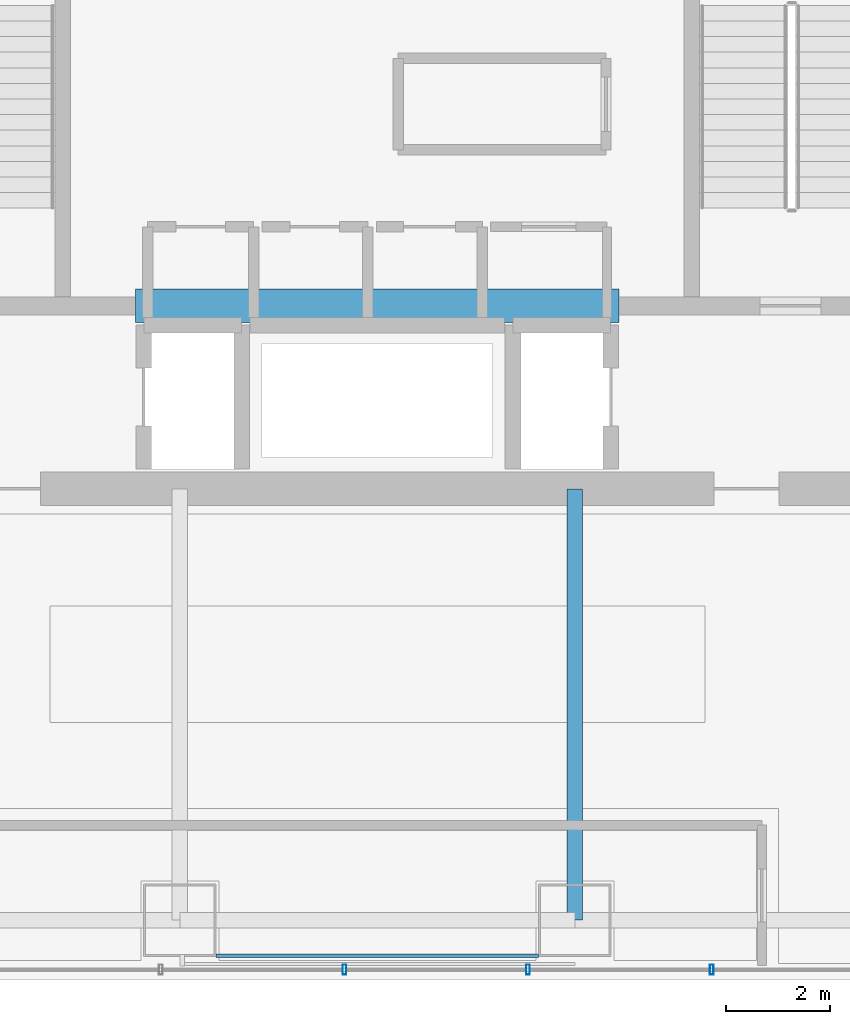
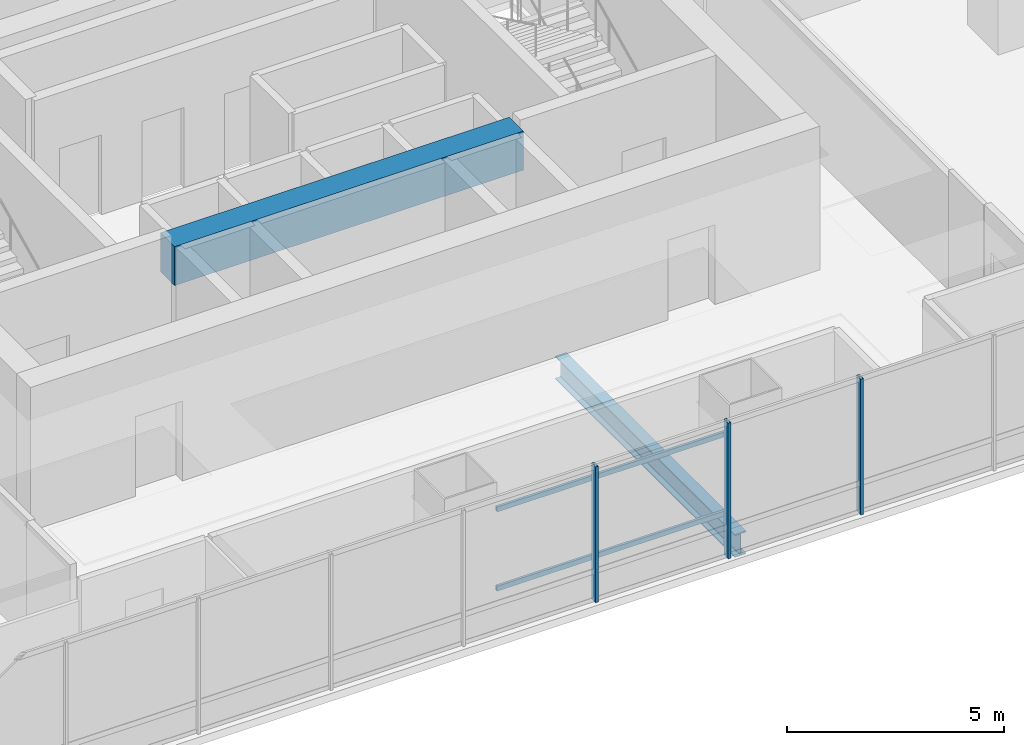
# One storey, part 9 of 38: 5 members, 2 beams, 1 element without a shape of its own.
"""IFC4 building model written with IfcOpenShell, lengths in metres."""

import ifcopenshell
import ifcopenshell.guid

model = None  # the IFC model being written
_history = None  # IfcOwnerHistory: only IFC2X3 demands one
_inside = {}  # id of a spatial element -> (the spatial element, [elements in it])
_under = {}  # id of a project, library or spatial element -> (it, [spatial elements below it])
_declared = {}  # id of a project -> (the project, [libraries it declares])
_typed = {}  # id of a type object -> (the type object, [elements of that type])
_made_of = {}  # id of a material, layer set ... -> (it, [elements and type objects made of it])


def new_model(schema):
    """Start an empty IFC model of exactly this schema.

    Asked for "IFC4X3", IfcOpenShell would pick the latest addendum, in which some entities
    have other attributes; the version numbers below select the first issue.
    IFC2X3 requires an IfcOwnerHistory on every rooted entity: one is made here for all.
    """
    global model, _history
    if schema == "IFC4X3":
        model = ifcopenshell.file(schema_version=(4, 3, 0, 0))
    else:
        model = ifcopenshell.file(schema=schema)
    _inside.clear()
    _under.clear()
    _declared.clear()
    _typed.clear()
    _made_of.clear()
    _history = None
    if model.schema == "IFC2X3":
        org = make("IfcOrganization", Name="unknown")
        user = make(
            "IfcPersonAndOrganization",
            ThePerson=make("IfcPerson", FamilyName="unknown"),
            TheOrganization=org,
        )
        app = make(
            "IfcApplication",
            ApplicationDeveloper=org,
            Version="unknown",
            ApplicationFullName="unknown",
            ApplicationIdentifier="unknown",
        )
        _history = make(
            "IfcOwnerHistory",
            OwningUser=user,
            OwningApplication=app,
            ChangeAction="ADDED",
            CreationDate=0,
        )
    return model


def make(cls, **values):
    """One entity of the class cls with the attributes given. An attribute that is None is left unset."""
    return model.create_entity(
        cls, **{name: value for name, value in values.items() if value is not None}
    )


def rooted(cls, **values):
    """An entity with a GlobalId (a new one), such as an element, a storey or a relation."""
    return make(cls, GlobalId=ifcopenshell.guid.new(), OwnerHistory=_history, **values)


def si_unit(unit_type, name, prefix=None):
    """IfcSIUnit, for example si_unit("LENGTHUNIT", "METRE", prefix="MILLI")."""
    return make("IfcSIUnit", UnitType=unit_type, Prefix=prefix, Name=name)


def assignment(units):
    """IfcUnitAssignment: the units of a project."""
    return None if units is None else make("IfcUnitAssignment", Units=units)


def point(xyz):
    """IfcCartesianPoint."""
    return None if xyz is None else make("IfcCartesianPoint", Coordinates=xyz)


def direction(xyz):
    """IfcDirection."""
    return None if xyz is None else make("IfcDirection", DirectionRatios=xyz)


def frame(location, z_axis=None, x_axis=None):
    """IfcAxis2Placement3D, a coordinate frame: its origin and axes. An axis left out is left unset."""
    return make(
        "IfcAxis2Placement3D",
        Location=point(location),
        Axis=direction(z_axis),
        RefDirection=direction(x_axis),
    )


def frame_2d(location, x_axis=None):
    """IfcAxis2Placement2D, a coordinate frame in the plane: its origin and x axis."""
    return make(
        "IfcAxis2Placement2D", Location=point(location), RefDirection=direction(x_axis)
    )


def origin():
    """The frame at (0, 0, 0) with its axes left unset."""
    return frame((0.0, 0.0, 0.0))


def origin_2d():
    """The frame at (0, 0) in the plane with its x axis left unset."""
    return frame_2d((0.0, 0.0))


def place(relative_to, where):
    """IfcLocalPlacement: puts the frame where relative to a parent placement (None: the world)."""
    return make(
        "IfcLocalPlacement", PlacementRelTo=relative_to, RelativePlacement=where
    )


def context(
    kind, dimensions, precision=None, world=None, true_north=None, identifier=None
):
    """IfcGeometricRepresentationContext, for example the 3D "Model" context."""
    return make(
        "IfcGeometricRepresentationContext",
        ContextIdentifier=identifier,
        ContextType=kind,
        CoordinateSpaceDimension=dimensions,
        Precision=precision,
        WorldCoordinateSystem=world,
        TrueNorth=true_north,
    )


def subcontext(parent, identifier, kind, view, scale=None):
    """IfcGeometricRepresentationSubContext, for example "Body" below "Model"."""
    return make(
        "IfcGeometricRepresentationSubContext",
        ContextIdentifier=identifier,
        ContextType=kind,
        ParentContext=parent,
        TargetScale=scale,
        TargetView=view,
    )


def project(units=None, contexts=None):
    """IfcProject with its units and contexts."""
    return rooted(
        "IfcProject",
        Name="project",
        RepresentationContexts=contexts,
        UnitsInContext=assignment(units),
    )


def spatial(cls, under=None, at=None, **own):
    """A site, building, storey or space (cls), placed at a placement, below another one or the project."""
    s = rooted(cls, ObjectPlacement=at, **own)
    if under is not None:
        _under.setdefault(under.id(), (under, []))[1].append(s)
    return s


def profile(cls, at=None, kind="AREA", **sizes):
    """A parametric profile (cls). Its sizes go by their IFC names, for example OverallWidth=200.0."""
    return make(cls, ProfileType=kind, Position=at, **sizes)


def rectangle(**sizes):
    """IfcRectangleProfileDef."""
    return profile("IfcRectangleProfileDef", **sizes)


def hollow_rectangle(**sizes):
    """IfcRectangleHollowProfileDef."""
    return profile("IfcRectangleHollowProfileDef", **sizes)


def i_section(**sizes):
    """IfcIShapeProfileDef."""
    return profile("IfcIShapeProfileDef", **sizes)


def extrude(swept, where, along, depth):
    """IfcExtrudedAreaSolid: the profile swept, set in the frame where, extruded along a direction by depth."""
    return make(
        "IfcExtrudedAreaSolid",
        SweptArea=swept,
        Position=where,
        ExtrudedDirection=direction(along),
        Depth=depth,
    )


def shape(context_of_items, identifier, shape_type, items):
    """IfcShapeRepresentation: the items that make up one representation, for example the "Body"."""
    return make(
        "IfcShapeRepresentation",
        ContextOfItems=context_of_items,
        RepresentationIdentifier=identifier,
        RepresentationType=shape_type,
        Items=items,
    )


def material(Name=None, Category=None):
    """IfcMaterial."""
    return make("IfcMaterial", Name=Name, Category=Category)


def material_profile(
    of_material, cross_section, Name=None, Category=None, Priority=None
):
    """IfcMaterialProfile: a cross section and its material."""
    return make(
        "IfcMaterialProfile",
        Name=Name,
        Material=of_material,
        Profile=cross_section,
        Priority=Priority,
        Category=Category,
    )


def profile_set(profiles, Name=None, composite=None):
    """IfcMaterialProfileSet."""
    return make(
        "IfcMaterialProfileSet",
        Name=Name,
        MaterialProfiles=profiles,
        CompositeProfile=composite,
    )


def made_of(thing, what):
    """Note that an element or type object is made of a material, layer set ...; save() writes the relation."""
    if what is not None:
        _made_of.setdefault(what.id(), (what, []))[1].append(thing)
    return thing


def type_object(cls, material=None, **own):
    """A type object (cls), such as IfcWallType, which elements share."""
    return made_of(rooted(cls, **own), material)


def element(
    cls,
    number,
    at=None,
    inside=None,
    cuts=None,
    type_object=None,
    material=None,
    context=None,
    identifier="Body",
    shape_type=None,
    held_by="IfcProductDefinitionShape",
    body=None,
    shapes=None,
    **own,
):
    """One element of the class cls, such as IfcWall. Its Tag is "e" and its number.

    at: its placement. inside: the storey or other place that contains it. cuts: it is an
    opening in that element (IfcRelVoidsElement). A single representation is given by context,
    identifier, shape_type and body (its items); several are given by shapes. held_by: the class
    of the entity that holds the representations. save() writes the other relations.
    """
    e = rooted(cls, Tag="e%d" % number, ObjectPlacement=at, **own)
    if body is not None:
        shapes = [shape(context, identifier, shape_type, body)]
    if shapes is not None:
        e.Representation = make(held_by, Representations=shapes)
    if inside is not None:
        _inside.setdefault(inside.id(), (inside, []))[1].append(e)
    if cuts is not None:
        rooted(
            "IfcRelVoidsElement", RelatingBuildingElement=cuts, RelatedOpeningElement=e
        )
    if type_object is not None:
        _typed.setdefault(type_object.id(), (type_object, []))[1].append(e)
    return made_of(e, material)


def aggregate(whole, parts):
    """IfcRelAggregates: a whole, such as a stair, and the parts it consists of."""
    return rooted("IfcRelAggregates", RelatingObject=whole, RelatedObjects=parts)


def save(model, path):
    """Write the relations noted so far, then the file.

    IfcRelAggregates (storeys below a building ...), IfcRelContainedInSpatialStructure (elements
    in a storey), IfcRelDefinesByType, IfcRelAssociatesMaterial and IfcRelDeclares: one each for
    every whole, place, type object, material and project.
    """
    for whole, parts in _under.values():
        aggregate(whole, parts)
    for where, things in _inside.values():
        rooted(
            "IfcRelContainedInSpatialStructure",
            RelatedElements=things,
            RelatingStructure=where,
        )
    for kind, things in _typed.values():
        rooted("IfcRelDefinesByType", RelatedObjects=things, RelatingType=kind)
    for what, things in _made_of.values():
        rooted("IfcRelAssociatesMaterial", RelatedObjects=things, RelatingMaterial=what)
    for by, libraries in _declared.values():
        rooted("IfcRelDeclares", RelatingContext=by, RelatedDefinitions=libraries)
    model.write(path)


model = new_model("IFC4")

# Units and contexts
model_context = context("Model", 3, precision=1e-05, world=origin(), true_north=direction((0.0, 1.0)))
body_context = subcontext(model_context, "Body", "Model", "MODEL_VIEW")
ifc_project = project(units=[si_unit("LENGTHUNIT", "METRE"), si_unit("AREAUNIT", "SQUARE_METRE"), si_unit("VOLUMEUNIT", "CUBIC_METRE"), si_unit("PLANEANGLEUNIT", "RADIAN"), si_unit("MASSUNIT", "GRAM", prefix="KILO")], contexts=[model_context])

# Site, building, storey
site_placement = place(None, origin())
site = spatial("IfcSite", under=ifc_project, at=site_placement, CompositionType="ELEMENT")
building_placement = place(site_placement, origin())
building = spatial("IfcBuilding", under=site, at=building_placement, Name="Punatoya Terracotta Tower", CompositionType="ELEMENT")
storey_placement = place(building_placement, frame((0.0, 0.0, 160.050048828125)))
storey = spatial("IfcBuildingStorey", under=building, at=storey_placement, Name="L37", CompositionType="ELEMENT", Elevation=160.050048828125)

# Beams
ifc_material_1 = material(Name="Steel S355", Category="steel")
ifc_material_profile_1 = material_profile(ifc_material_1, i_section(OverallWidth=0.300048828125, OverallDepth=0.64990234375, WebThickness=0.01611328125, FlangeThickness=0.031005859375, FilletRadius=0.01806640625, at=origin_2d()))
ifc_profile_set_1 = profile_set([ifc_material_profile_1], Name="Steel S355")
beam_type_1 = type_object("IfcBeamType", Name="BM-PRI-650", PredefinedType="BEAM", material=ifc_profile_set_1)
beam_1_placement = place(storey_placement, frame((3.800048828125, -17.5, -0.545166015625), z_axis=(0.0, 1.0, 0.0), x_axis=(-1.0, 0.0, 0.0)))
element("IfcBeam", 1, at=beam_1_placement, inside=storey, type_object=beam_type_1, Name="BM-L37-PR-S3", PredefinedType="BEAM", context=body_context, shape_type="SweptSolid", body=[
    extrude(i_section(OverallWidth=0.300048828125, OverallDepth=0.64990234375, WebThickness=0.01611328125, FlangeThickness=0.031005859375, FilletRadius=0.01806640625, at=origin_2d()), origin(), (0.0, 0.0, 1.0), 8.300048828125),
])
ifc_material_2 = material(Name="Concrete C60/75", Category="concrete")
ifc_material_profile_2 = material_profile(ifc_material_2, rectangle(XDim=0.64990234375, YDim=1.10009765625, at=origin_2d()))
ifc_profile_set_2 = profile_set([ifc_material_profile_2], Name="Concrete C60/75")
beam_type_2 = type_object("IfcBeamType", Name="BM-RC-1100", PredefinedType="LINTEL", material=ifc_profile_set_2)
beam_2_placement = place(storey_placement, frame((-4.64990234375, -5.679931640625, 3.280029296875), z_axis=(1.0, 0.0, 0.0), x_axis=(0.0, 1.0, 0.0)))
element("IfcBeam", 2, at=beam_2_placement, inside=storey, type_object=beam_type_2, Name="L37 Core Coupling Lintel CSW", PredefinedType="LINTEL", context=body_context, shape_type="SweptSolid", body=[
    extrude(rectangle(XDim=0.64990234375, YDim=1.10009765625, at=origin_2d()), origin(), (0.0, 0.0, 1.0), 9.2998046875),
])

# Curtain wall, members
ifc_material_3 = material(Name="Aluminium 6063-T6 + Double Low-E Glass", Category="aluminium")
curtain_wall_type = type_object("IfcCurtainWallType", Name="CW-M2", PredefinedType="NOTDEFINED", material=ifc_material_3)
curtain_wall_placement = place(storey_placement, origin())
curtain_wall = element("IfcCurtainWall", 3, at=curtain_wall_placement, inside=storey, type_object=curtain_wall_type, Name="L37 Curtain Wall CW-L37-S01-1", PredefinedType="NOTDEFINED")
ifc_material_4 = material(Name="Aluminium 6063-T6", Category="aluminium")
ifc_material_profile_3 = material_profile(ifc_material_4, hollow_rectangle(XDim=0.072021484375, YDim=0.195068359375, WallThickness=0.00439453125, at=origin_2d()))
ifc_profile_set_3 = profile_set([ifc_material_profile_3], Name="Aluminium 6063-T6")
member_type_1 = type_object("IfcMemberType", Name="CW-MUL-M2", PredefinedType="MULLION", material=ifc_profile_set_3)
member_1_placement = place(storey_placement, frame((-0.633056640625, -18.449951171875, 0.0), z_axis=(0.0, 0.0, 1.0), x_axis=(1.0, 0.0, 0.0)))
member_1 = element("IfcMember", 4, at=member_1_placement, type_object=member_type_1, Name="CW-L37-S01-1 Mullion 06", PredefinedType="MULLION", context=body_context, shape_type="SweptSolid", body=[
    extrude(hollow_rectangle(XDim=0.072021484375, YDim=0.195068359375, WallThickness=0.00439453125, at=origin_2d()), origin(), (0.0, 0.0, 1.0), 3.829833984375),
])
member_2_placement = place(storey_placement, frame((2.90087890625, -18.449951171875, 0.0), z_axis=(0.0, 0.0, 1.0), x_axis=(1.0, 0.0, 0.0)))
member_2 = element("IfcMember", 5, at=member_2_placement, type_object=member_type_1, Name="CW-L37-S01-1 Mullion 07", PredefinedType="MULLION", context=body_context, shape_type="SweptSolid", body=[
    extrude(hollow_rectangle(XDim=0.072021484375, YDim=0.195068359375, WallThickness=0.00439453125, at=origin_2d()), origin(), (0.0, 0.0, 1.0), 3.829833984375),
])
member_3_placement = place(storey_placement, frame((6.43505859375, -18.449951171875, 0.0), z_axis=(0.0, 0.0, 1.0), x_axis=(1.0, 0.0, 0.0)))
member_3 = element("IfcMember", 6, at=member_3_placement, type_object=member_type_1, Name="CW-L37-S01-1 Mullion 08", PredefinedType="MULLION", context=body_context, shape_type="SweptSolid", body=[
    extrude(hollow_rectangle(XDim=0.072021484375, YDim=0.195068359375, WallThickness=0.00439453125, at=origin_2d()), origin(), (0.0, 0.0, 1.0), 3.829833984375),
])
aggregate(curtain_wall, [member_1, member_2, member_3])

# Members
ifc_material_profile_4 = material_profile(ifc_material_1, hollow_rectangle(XDim=0.070068359375, YDim=0.139892578125, WallThickness=0.006103515625, at=origin_2d()))
ifc_profile_set_4 = profile_set([ifc_material_profile_4], Name="Steel S355")
member_type_2 = type_object("IfcMemberType", Name="MEM-BAG-RAIL", PredefinedType="USERDEFINED", material=ifc_profile_set_4)
for number, where, z_axis, x_axis, name in (
    (7, (-3.1005859375, -18.181884765625, 1.050048828125), (1.0, 0.0, 0.0), (0.0, 1.0, 0.0), "L37 Terracotta Baguette Carrier Rail BAG-L37-S-R1"),
    (8, (-3.1005859375, -18.181884765625, 3.280029296875), (1.0, 0.0, 0.0), (0.0, 1.0, 0.0), "L37 Terracotta Baguette Carrier Rail BAG-L37-S-R2"),
):
    element("IfcMember", number, at=place(storey_placement, frame(where, z_axis=z_axis, x_axis=x_axis)), inside=storey, type_object=member_type_2, Name=name, ObjectType="BAGUETTE", PredefinedType="USERDEFINED", context=body_context, shape_type="SweptSolid", body=[
        extrude(hollow_rectangle(XDim=0.070068359375, YDim=0.139892578125, WallThickness=0.006103515625, at=origin_2d()), origin(), (0.0, 0.0, 1.0), 6.201171875),
    ])

save(model, "model.ifc")
